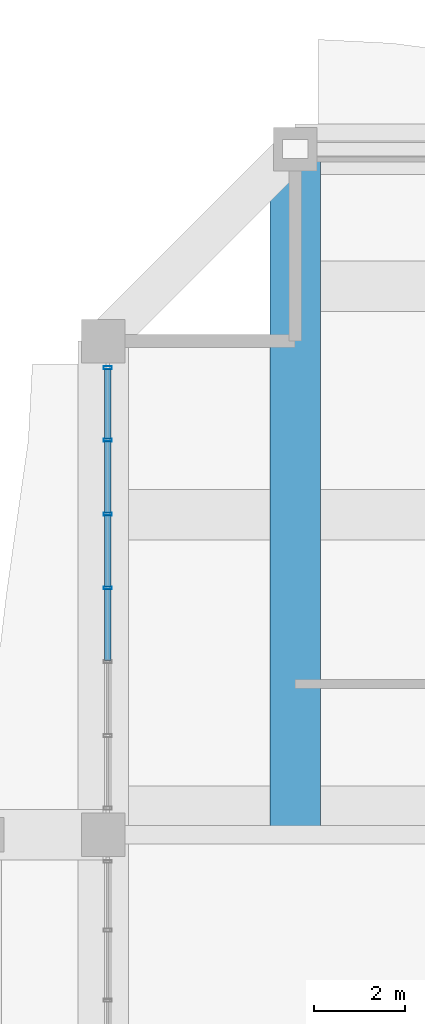
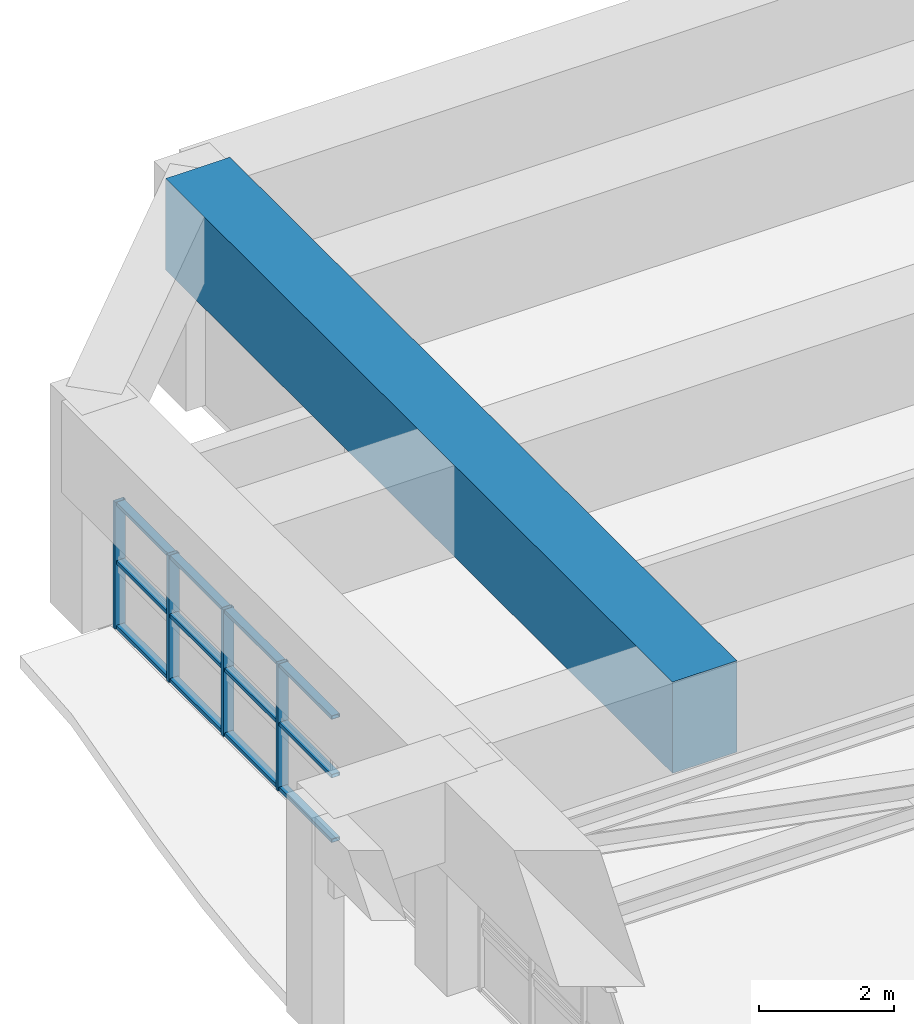
# One storey, part 21 of 35: 16 members, 1 beam, 1 element without a shape of its own.
"""IFC4 building model written with IfcOpenShell, lengths in metres."""

import ifcopenshell
import ifcopenshell.guid

model = None  # the IFC model being written
_history = None  # IfcOwnerHistory: only IFC2X3 demands one
_inside = {}  # id of a spatial element -> (the spatial element, [elements in it])
_under = {}  # id of a project, library or spatial element -> (it, [spatial elements below it])
_declared = {}  # id of a project -> (the project, [libraries it declares])
_typed = {}  # id of a type object -> (the type object, [elements of that type])
_made_of = {}  # id of a material, layer set ... -> (it, [elements and type objects made of it])


def new_model(schema):
    """Start an empty IFC model of exactly this schema.

    Asked for "IFC4X3", IfcOpenShell would pick the latest addendum, in which some entities
    have other attributes; the version numbers below select the first issue.
    IFC2X3 requires an IfcOwnerHistory on every rooted entity: one is made here for all.
    """
    global model, _history
    if schema == "IFC4X3":
        model = ifcopenshell.file(schema_version=(4, 3, 0, 0))
    else:
        model = ifcopenshell.file(schema=schema)
    _inside.clear()
    _under.clear()
    _declared.clear()
    _typed.clear()
    _made_of.clear()
    _history = None
    if model.schema == "IFC2X3":
        org = make("IfcOrganization", Name="unknown")
        user = make(
            "IfcPersonAndOrganization",
            ThePerson=make("IfcPerson", FamilyName="unknown"),
            TheOrganization=org,
        )
        app = make(
            "IfcApplication",
            ApplicationDeveloper=org,
            Version="unknown",
            ApplicationFullName="unknown",
            ApplicationIdentifier="unknown",
        )
        _history = make(
            "IfcOwnerHistory",
            OwningUser=user,
            OwningApplication=app,
            ChangeAction="ADDED",
            CreationDate=0,
        )
    return model


def make(cls, **values):
    """One entity of the class cls with the attributes given. An attribute that is None is left unset."""
    return model.create_entity(
        cls, **{name: value for name, value in values.items() if value is not None}
    )


def rooted(cls, **values):
    """An entity with a GlobalId (a new one), such as an element, a storey or a relation."""
    return make(cls, GlobalId=ifcopenshell.guid.new(), OwnerHistory=_history, **values)


def si_unit(unit_type, name, prefix=None):
    """IfcSIUnit, for example si_unit("LENGTHUNIT", "METRE", prefix="MILLI")."""
    return make("IfcSIUnit", UnitType=unit_type, Prefix=prefix, Name=name)


def assignment(units):
    """IfcUnitAssignment: the units of a project."""
    return None if units is None else make("IfcUnitAssignment", Units=units)


def point(xyz):
    """IfcCartesianPoint."""
    return None if xyz is None else make("IfcCartesianPoint", Coordinates=xyz)


def direction(xyz):
    """IfcDirection."""
    return None if xyz is None else make("IfcDirection", DirectionRatios=xyz)


def frame(location, z_axis=None, x_axis=None):
    """IfcAxis2Placement3D, a coordinate frame: its origin and axes. An axis left out is left unset."""
    return make(
        "IfcAxis2Placement3D",
        Location=point(location),
        Axis=direction(z_axis),
        RefDirection=direction(x_axis),
    )


def frame_2d(location, x_axis=None):
    """IfcAxis2Placement2D, a coordinate frame in the plane: its origin and x axis."""
    return make(
        "IfcAxis2Placement2D", Location=point(location), RefDirection=direction(x_axis)
    )


def origin():
    """The frame at (0, 0, 0) with its axes left unset."""
    return frame((0.0, 0.0, 0.0))


def origin_2d():
    """The frame at (0, 0) in the plane with its x axis left unset."""
    return frame_2d((0.0, 0.0))


def place(relative_to, where):
    """IfcLocalPlacement: puts the frame where relative to a parent placement (None: the world)."""
    return make(
        "IfcLocalPlacement", PlacementRelTo=relative_to, RelativePlacement=where
    )


def context(
    kind, dimensions, precision=None, world=None, true_north=None, identifier=None
):
    """IfcGeometricRepresentationContext, for example the 3D "Model" context."""
    return make(
        "IfcGeometricRepresentationContext",
        ContextIdentifier=identifier,
        ContextType=kind,
        CoordinateSpaceDimension=dimensions,
        Precision=precision,
        WorldCoordinateSystem=world,
        TrueNorth=true_north,
    )


def subcontext(parent, identifier, kind, view, scale=None):
    """IfcGeometricRepresentationSubContext, for example "Body" below "Model"."""
    return make(
        "IfcGeometricRepresentationSubContext",
        ContextIdentifier=identifier,
        ContextType=kind,
        ParentContext=parent,
        TargetScale=scale,
        TargetView=view,
    )


def project(units=None, contexts=None):
    """IfcProject with its units and contexts."""
    return rooted(
        "IfcProject",
        Name="project",
        RepresentationContexts=contexts,
        UnitsInContext=assignment(units),
    )


def spatial(cls, under=None, at=None, **own):
    """A site, building, storey or space (cls), placed at a placement, below another one or the project."""
    s = rooted(cls, ObjectPlacement=at, **own)
    if under is not None:
        _under.setdefault(under.id(), (under, []))[1].append(s)
    return s


def profile(cls, at=None, kind="AREA", **sizes):
    """A parametric profile (cls). Its sizes go by their IFC names, for example OverallWidth=200.0."""
    return make(cls, ProfileType=kind, Position=at, **sizes)


def rectangle(**sizes):
    """IfcRectangleProfileDef."""
    return profile("IfcRectangleProfileDef", **sizes)


def hollow_rectangle(**sizes):
    """IfcRectangleHollowProfileDef."""
    return profile("IfcRectangleHollowProfileDef", **sizes)


def extrude(swept, where, along, depth):
    """IfcExtrudedAreaSolid: the profile swept, set in the frame where, extruded along a direction by depth."""
    return make(
        "IfcExtrudedAreaSolid",
        SweptArea=swept,
        Position=where,
        ExtrudedDirection=direction(along),
        Depth=depth,
    )


def shape(context_of_items, identifier, shape_type, items):
    """IfcShapeRepresentation: the items that make up one representation, for example the "Body"."""
    return make(
        "IfcShapeRepresentation",
        ContextOfItems=context_of_items,
        RepresentationIdentifier=identifier,
        RepresentationType=shape_type,
        Items=items,
    )


def source(mapping_origin, context_of_items, identifier, shape_type, items):
    """IfcRepresentationMap: a shape defined once, which mapped items show again and again."""
    return make(
        "IfcRepresentationMap",
        MappingOrigin=mapping_origin,
        MappedRepresentation=shape(context_of_items, identifier, shape_type, items),
    )


def transform(
    local_origin,
    x_axis=None,
    y_axis=None,
    z_axis=None,
    scale=None,
    scale2=None,
    scale3=None,
    uniform=True,
):
    """IfcCartesianTransformationOperator3D, or its non-uniform kind. x_axis, y_axis, z_axis: its Axis1, 2, 3."""
    if uniform:
        return make(
            "IfcCartesianTransformationOperator3D",
            Axis1=direction(x_axis),
            Axis2=direction(y_axis),
            LocalOrigin=point(local_origin),
            Scale=scale,
            Axis3=direction(z_axis),
        )
    return make(
        "IfcCartesianTransformationOperator3DnonUniform",
        Axis1=direction(x_axis),
        Axis2=direction(y_axis),
        LocalOrigin=point(local_origin),
        Scale=scale,
        Axis3=direction(z_axis),
        Scale2=scale2,
        Scale3=scale3,
    )


def mapped(mapping_source, mapping_target):
    """IfcMappedItem: shows the shape of a source again, moved by a transform."""
    return make(
        "IfcMappedItem", MappingSource=mapping_source, MappingTarget=mapping_target
    )


def material(Name=None, Category=None):
    """IfcMaterial."""
    return make("IfcMaterial", Name=Name, Category=Category)


def layer(
    of_material, thickness, ventilated=None, Name=None, Category=None, Priority=None
):
    """IfcMaterialLayer: one layer of a wall or slab, of a material (None: an air gap)."""
    return make(
        "IfcMaterialLayer",
        Material=of_material,
        LayerThickness=thickness,
        IsVentilated=ventilated,
        Name=Name,
        Category=Category,
        Priority=Priority,
    )


def layer_set(layers, Name=None):
    """IfcMaterialLayerSet."""
    return make("IfcMaterialLayerSet", MaterialLayers=layers, LayerSetName=Name)


def material_profile(
    of_material, cross_section, Name=None, Category=None, Priority=None
):
    """IfcMaterialProfile: a cross section and its material."""
    return make(
        "IfcMaterialProfile",
        Name=Name,
        Material=of_material,
        Profile=cross_section,
        Priority=Priority,
        Category=Category,
    )


def profile_set(profiles, Name=None, composite=None):
    """IfcMaterialProfileSet."""
    return make(
        "IfcMaterialProfileSet",
        Name=Name,
        MaterialProfiles=profiles,
        CompositeProfile=composite,
    )


def made_of(thing, what):
    """Note that an element or type object is made of a material, layer set ...; save() writes the relation."""
    if what is not None:
        _made_of.setdefault(what.id(), (what, []))[1].append(thing)
    return thing


def type_object(cls, material=None, **own):
    """A type object (cls), such as IfcWallType, which elements share."""
    return made_of(rooted(cls, **own), material)


def element(
    cls,
    number,
    at=None,
    inside=None,
    cuts=None,
    type_object=None,
    material=None,
    context=None,
    identifier="Body",
    shape_type=None,
    held_by="IfcProductDefinitionShape",
    body=None,
    shapes=None,
    **own,
):
    """One element of the class cls, such as IfcWall. Its Tag is "e" and its number.

    at: its placement. inside: the storey or other place that contains it. cuts: it is an
    opening in that element (IfcRelVoidsElement). A single representation is given by context,
    identifier, shape_type and body (its items); several are given by shapes. held_by: the class
    of the entity that holds the representations. save() writes the other relations.
    """
    e = rooted(cls, Tag="e%d" % number, ObjectPlacement=at, **own)
    if body is not None:
        shapes = [shape(context, identifier, shape_type, body)]
    if shapes is not None:
        e.Representation = make(held_by, Representations=shapes)
    if inside is not None:
        _inside.setdefault(inside.id(), (inside, []))[1].append(e)
    if cuts is not None:
        rooted(
            "IfcRelVoidsElement", RelatingBuildingElement=cuts, RelatedOpeningElement=e
        )
    if type_object is not None:
        _typed.setdefault(type_object.id(), (type_object, []))[1].append(e)
    return made_of(e, material)


def aggregate(whole, parts):
    """IfcRelAggregates: a whole, such as a stair, and the parts it consists of."""
    return rooted("IfcRelAggregates", RelatingObject=whole, RelatedObjects=parts)


def save(model, path):
    """Write the relations noted so far, then the file.

    IfcRelAggregates (storeys below a building ...), IfcRelContainedInSpatialStructure (elements
    in a storey), IfcRelDefinesByType, IfcRelAssociatesMaterial and IfcRelDeclares: one each for
    every whole, place, type object, material and project.
    """
    for whole, parts in _under.values():
        aggregate(whole, parts)
    for where, things in _inside.values():
        rooted(
            "IfcRelContainedInSpatialStructure",
            RelatedElements=things,
            RelatingStructure=where,
        )
    for kind, things in _typed.values():
        rooted("IfcRelDefinesByType", RelatedObjects=things, RelatingType=kind)
    for what, things in _made_of.values():
        rooted("IfcRelAssociatesMaterial", RelatedObjects=things, RelatingMaterial=what)
    for by, libraries in _declared.values():
        rooted("IfcRelDeclares", RelatingContext=by, RelatedDefinitions=libraries)
    model.write(path)


model = new_model("IFC4")

# Units and contexts
model_context = context("Model", 3, precision=1e-05, world=origin(), true_north=direction((0.0, 1.0)))
body_context = subcontext(model_context, "Body", "Model", "MODEL_VIEW")
ifc_project = project(units=[si_unit("LENGTHUNIT", "METRE"), si_unit("AREAUNIT", "SQUARE_METRE"), si_unit("VOLUMEUNIT", "CUBIC_METRE"), si_unit("PLANEANGLEUNIT", "RADIAN"), si_unit("MASSUNIT", "GRAM", prefix="KILO")], contexts=[model_context])

# Site, building, storey
site_placement = place(None, origin())
site = spatial("IfcSite", under=ifc_project, at=site_placement, CompositionType="ELEMENT")
building_placement = place(site_placement, origin())
building = spatial("IfcBuilding", under=site, at=building_placement, Name="Saelheon Loggia Tower", CompositionType="ELEMENT")
storey_placement = place(building_placement, frame((0.0, 0.0, 144.75)))
storey = spatial("IfcBuildingStorey", under=building, at=storey_placement, Name="L46", CompositionType="ELEMENT", Elevation=144.75)

# Beam
ifc_material_1 = material(Name="Concrete C50/60", Category="concrete")
ifc_material_profile_1 = material_profile(ifc_material_1, rectangle(XDim=1.10009765625, YDim=1.64990234375, at=origin_2d()), Name="RC-1100x1650")
ifc_profile_set_1 = profile_set([ifc_material_profile_1], Name="Concrete C50/60")
beam_type = type_object("IfcBeamType", Name="Beam_MegaTransfer_RC1100x1650", PredefinedType="BEAM", material=ifc_profile_set_1)
shared_shape_1 = source(origin(), body_context, "Body", "SweptSolid", [
    extrude(rectangle(XDim=1.10009765625, YDim=1.64990234375, at=origin_2d()), origin(), (0.0, 0.0, 1.0), 15.0),
])
beam_placement = place(storey_placement, frame((16.199951171875, 36.0, 3.125), z_axis=(0.0, 1.0, 0.0), x_axis=(-1.0, 0.0, 0.0)))
element("IfcBeam", 1, at=beam_placement, inside=storey, type_object=beam_type, Name="TG-L46-NL-NW", PredefinedType="BEAM", context=body_context, shape_type="MappedRepresentation", body=[
    mapped(shared_shape_1, transform((0.0, 0.0, 0.0), scale=1.0)),
])

# Curtain wall, members
ifc_material_2 = material(Name="Anodised Aluminium Acoustic Louvre Curtain Wall", Category="aluminium")
ifc_layer = layer(ifc_material_2, 0.179931640625)
ifc_layer_set = layer_set([ifc_layer], Name="Anodised Aluminium Acoustic Louvre Curtain Wall")
curtain_wall_type = type_object("IfcCurtainWallType", Name="CW_RefugeAcoustic", PredefinedType="NOTDEFINED", material=ifc_layer_set)
curtain_wall_placement = place(storey_placement, origin())
curtain_wall = element("IfcCurtainWall", 2, at=curtain_wall_placement, inside=storey, type_object=curtain_wall_type, Name="L46 W Refuge Acoustic Curtain Wall 3", PredefinedType="NOTDEFINED")
ifc_material_3 = material(Name="Anodised Aluminium 6063-T6", Category="aluminium")
ifc_material_profile_2 = material_profile(ifc_material_3, hollow_rectangle(XDim=0.06494140625, YDim=0.179931640625, WallThickness=0.00390625, at=origin_2d()), Name="RHS-180x65x4")
ifc_profile_set_2 = profile_set([ifc_material_profile_2], Name="Anodised Aluminium 6063-T6")
member_type_1 = type_object("IfcMemberType", Name="CW_RefugeAcoustic_Mullion", PredefinedType="MULLION", material=ifc_profile_set_2)
shared_shape_2 = source(origin(), body_context, "Body", "SweptSolid", [
    extrude(hollow_rectangle(XDim=0.06494140625, YDim=0.179931640625, WallThickness=0.00390625, at=origin_2d()), origin(), (0.0, 0.0, 1.0), 2.2900390625),
])
member_1_placement = place(storey_placement, frame((12.10009765625, 41.39990234375, 0.0), z_axis=(0.0, 0.0, 1.0), x_axis=(0.0, 1.0, 0.0)))
member_1 = element("IfcMember", 3, at=member_1_placement, type_object=member_type_1, Name="CW5 mullion 4", PredefinedType="MULLION", context=body_context, shape_type="MappedRepresentation", body=[
    mapped(shared_shape_2, transform((0.0, 0.0, 0.0), scale=1.0)),
])
member_2_placement = place(storey_placement, frame((12.10009765625, 43.0166015625, 0.0), z_axis=(0.0, 0.0, 1.0), x_axis=(0.0, 1.0, 0.0)))
member_2 = element("IfcMember", 4, at=member_2_placement, type_object=member_type_1, Name="CW5 mullion 5", PredefinedType="MULLION", context=body_context, shape_type="MappedRepresentation", body=[
    mapped(shared_shape_2, transform((0.0, 0.0, 0.0), scale=1.0)),
])
member_3_placement = place(storey_placement, frame((12.10009765625, 44.63330078125, 0.0), z_axis=(0.0, 0.0, 1.0), x_axis=(0.0, 1.0, 0.0)))
member_3 = element("IfcMember", 5, at=member_3_placement, type_object=member_type_1, Name="CW5 mullion 6", PredefinedType="MULLION", context=body_context, shape_type="MappedRepresentation", body=[
    mapped(shared_shape_2, transform((0.0, 0.0, 0.0), scale=1.0)),
])
member_4_placement = place(storey_placement, frame((12.10009765625, 46.217529296875, 0.0), z_axis=(0.0, 0.0, 1.0), x_axis=(0.0, 1.0, 0.0)))
member_4 = element("IfcMember", 6, at=member_4_placement, type_object=member_type_1, Name="CW5 mullion 7", PredefinedType="MULLION", context=body_context, shape_type="MappedRepresentation", body=[
    mapped(shared_shape_2, transform((0.0, 0.0, 0.0), scale=1.0)),
])
ifc_material_profile_3 = material_profile(ifc_material_3, hollow_rectangle(XDim=0.06494140625, YDim=0.139892578125, WallThickness=0.00390625, at=origin_2d()), Name="RHS-140x65x4")
ifc_profile_set_3 = profile_set([ifc_material_profile_3], Name="Anodised Aluminium 6063-T6")
member_type_2 = type_object("IfcMemberType", Name="CW_RefugeAcoustic_Transom", PredefinedType="USERDEFINED", material=ifc_profile_set_3)
shared_shape_3 = source(origin(), body_context, "Body", "SweptSolid", [
    extrude(hollow_rectangle(XDim=0.06494140625, YDim=0.139892578125, WallThickness=0.00390625, at=origin_2d()), origin(), (0.0, 0.0, 1.0), 1.519287109375),
])
member_5_placement = place(storey_placement, frame((12.10009765625, 44.665771484375, 0.032470703125), z_axis=(0.0, 1.0, 0.0), x_axis=(0.0, 0.0, 1.0)))
member_5 = element("IfcMember", 7, at=member_5_placement, type_object=member_type_2, Name="CW5 transom 6.1", ObjectType="TRANSOM", PredefinedType="USERDEFINED", context=body_context, shape_type="MappedRepresentation", body=[
    mapped(shared_shape_3, transform((0.0, 0.0, 0.0), scale=1.0)),
])
member_6_placement = place(storey_placement, frame((12.10009765625, 44.665771484375, 1.199951171875), z_axis=(0.0, 1.0, 0.0), x_axis=(0.0, 0.0, 1.0)))
member_6 = element("IfcMember", 8, at=member_6_placement, type_object=member_type_2, Name="CW5 transom 6.2", ObjectType="TRANSOM", PredefinedType="USERDEFINED", context=body_context, shape_type="MappedRepresentation", body=[
    mapped(shared_shape_3, transform((0.0, 0.0, 0.0), scale=1.0)),
])
member_7_placement = place(storey_placement, frame((12.10009765625, 44.665771484375, 2.257568359375), z_axis=(0.0, 1.0, 0.0), x_axis=(0.0, 0.0, 1.0)))
member_7 = element("IfcMember", 9, at=member_7_placement, type_object=member_type_2, Name="CW5 transom 6.3", ObjectType="TRANSOM", PredefinedType="USERDEFINED", context=body_context, shape_type="MappedRepresentation", body=[
    mapped(shared_shape_3, transform((0.0, 0.0, 0.0), scale=1.0)),
])
shared_shape_4 = source(origin(), body_context, "Body", "SweptSolid", [
    extrude(hollow_rectangle(XDim=0.06494140625, YDim=0.139892578125, WallThickness=0.00390625, at=origin_2d()), origin(), (0.0, 0.0, 1.0), 1.5517578125),
])
member_8_placement = place(storey_placement, frame((12.10009765625, 43.049072265625, 0.032470703125), z_axis=(0.0, 1.0, 0.0), x_axis=(0.0, 0.0, 1.0)))
member_8 = element("IfcMember", 10, at=member_8_placement, type_object=member_type_2, Name="CW5 transom 5.1", ObjectType="TRANSOM", PredefinedType="USERDEFINED", context=body_context, shape_type="MappedRepresentation", body=[
    mapped(shared_shape_4, transform((0.0, 0.0, 0.0), scale=1.0)),
])
member_9_placement = place(storey_placement, frame((12.10009765625, 43.049072265625, 1.199951171875), z_axis=(0.0, 1.0, 0.0), x_axis=(0.0, 0.0, 1.0)))
member_9 = element("IfcMember", 11, at=member_9_placement, type_object=member_type_2, Name="CW5 transom 5.2", ObjectType="TRANSOM", PredefinedType="USERDEFINED", context=body_context, shape_type="MappedRepresentation", body=[
    mapped(shared_shape_4, transform((0.0, 0.0, 0.0), scale=1.0)),
])
member_10_placement = place(storey_placement, frame((12.10009765625, 43.049072265625, 2.257568359375), z_axis=(0.0, 1.0, 0.0), x_axis=(0.0, 0.0, 1.0)))
member_10 = element("IfcMember", 12, at=member_10_placement, type_object=member_type_2, Name="CW5 transom 5.3", ObjectType="TRANSOM", PredefinedType="USERDEFINED", context=body_context, shape_type="MappedRepresentation", body=[
    mapped(shared_shape_4, transform((0.0, 0.0, 0.0), scale=1.0)),
])
shared_shape_5 = source(origin(), body_context, "Body", "SweptSolid", [
    extrude(hollow_rectangle(XDim=0.06494140625, YDim=0.139892578125, WallThickness=0.00390625, at=origin_2d()), origin(), (0.0, 0.0, 1.0), 1.551513671875),
])
member_11_placement = place(storey_placement, frame((12.10009765625, 39.81591796875, 0.032470703125), z_axis=(0.0, 1.0, 0.0), x_axis=(0.0, 0.0, 1.0)))
member_11 = element("IfcMember", 13, at=member_11_placement, type_object=member_type_2, Name="CW5 transom 3.1", ObjectType="TRANSOM", PredefinedType="USERDEFINED", context=body_context, shape_type="MappedRepresentation", body=[
    mapped(shared_shape_5, transform((0.0, 0.0, 0.0), scale=1.0)),
])
member_12_placement = place(storey_placement, frame((12.10009765625, 39.81591796875, 1.199951171875), z_axis=(0.0, 1.0, 0.0), x_axis=(0.0, 0.0, 1.0)))
member_12 = element("IfcMember", 14, at=member_12_placement, type_object=member_type_2, Name="CW5 transom 3.2", ObjectType="TRANSOM", PredefinedType="USERDEFINED", context=body_context, shape_type="MappedRepresentation", body=[
    mapped(shared_shape_5, transform((0.0, 0.0, 0.0), scale=1.0)),
])
member_13_placement = place(storey_placement, frame((12.10009765625, 39.81591796875, 2.257568359375), z_axis=(0.0, 1.0, 0.0), x_axis=(0.0, 0.0, 1.0)))
member_13 = element("IfcMember", 15, at=member_13_placement, type_object=member_type_2, Name="CW5 transom 3.3", ObjectType="TRANSOM", PredefinedType="USERDEFINED", context=body_context, shape_type="MappedRepresentation", body=[
    mapped(shared_shape_5, transform((0.0, 0.0, 0.0), scale=1.0)),
])
member_14_placement = place(storey_placement, frame((12.10009765625, 41.4326171875, 0.032470703125), z_axis=(0.0, 1.0, 0.0), x_axis=(0.0, 0.0, 1.0)))
member_14 = element("IfcMember", 16, at=member_14_placement, type_object=member_type_2, Name="CW5 transom 4.1", ObjectType="TRANSOM", PredefinedType="USERDEFINED", context=body_context, shape_type="MappedRepresentation", body=[
    mapped(shared_shape_5, transform((0.0, 0.0, 0.0), scale=1.0)),
])
member_15_placement = place(storey_placement, frame((12.10009765625, 41.4326171875, 1.199951171875), z_axis=(0.0, 1.0, 0.0), x_axis=(0.0, 0.0, 1.0)))
member_15 = element("IfcMember", 17, at=member_15_placement, type_object=member_type_2, Name="CW5 transom 4.2", ObjectType="TRANSOM", PredefinedType="USERDEFINED", context=body_context, shape_type="MappedRepresentation", body=[
    mapped(shared_shape_5, transform((0.0, 0.0, 0.0), scale=1.0)),
])
member_16_placement = place(storey_placement, frame((12.10009765625, 41.4326171875, 2.257568359375), z_axis=(0.0, 1.0, 0.0), x_axis=(0.0, 0.0, 1.0)))
member_16 = element("IfcMember", 18, at=member_16_placement, type_object=member_type_2, Name="CW5 transom 4.3", ObjectType="TRANSOM", PredefinedType="USERDEFINED", context=body_context, shape_type="MappedRepresentation", body=[
    mapped(shared_shape_5, transform((0.0, 0.0, 0.0), scale=1.0)),
])
aggregate(curtain_wall, [member_1, member_2, member_3, member_4, member_11, member_12, member_13, member_14, member_15, member_16, member_8, member_9, member_10, member_5, member_6, member_7])

save(model, "model.ifc")
